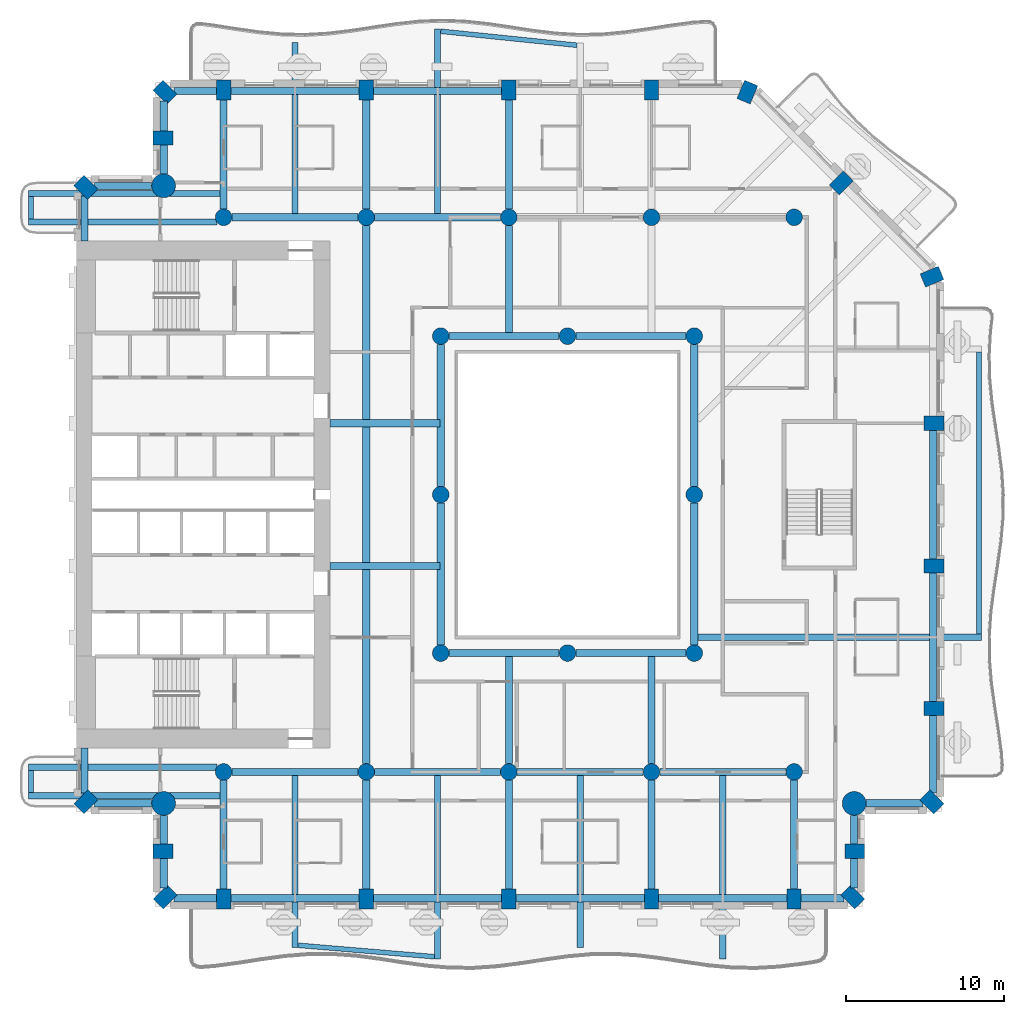
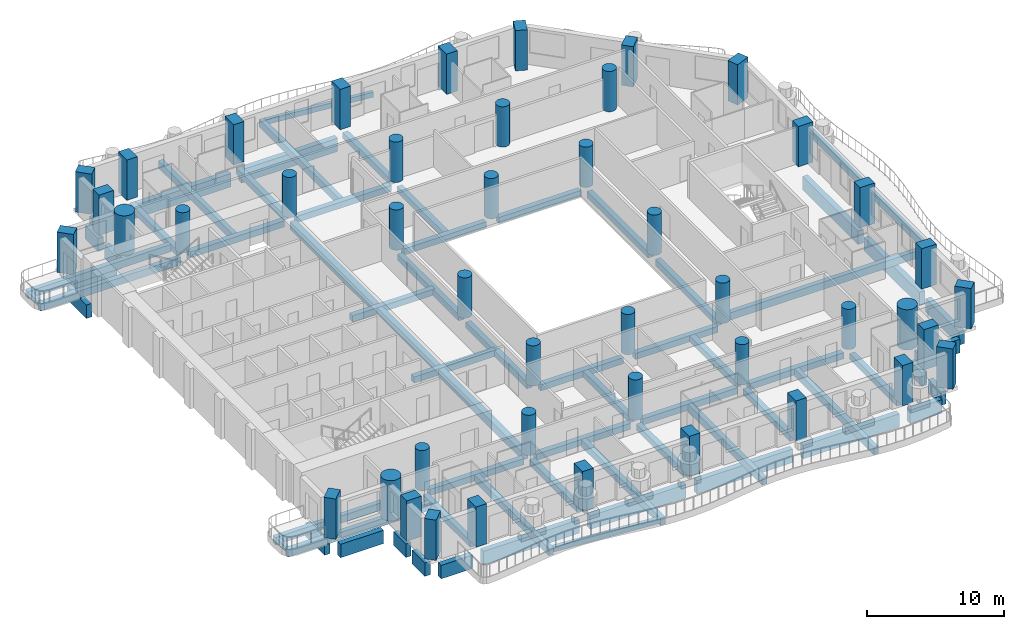
# One storey, part 1 of 20: 69 beams, 45 columns.
"""IFC4 building model written with IfcOpenShell, lengths in metres."""

from ifc_helpers import new_model, si_unit, direction, frame, origin, origin_2d, place, context, subcontext, project, spatial, rectangle, circle, extrude, material, material_profile, profile_set, type_object, element, save


model = new_model("IFC4")

# Units and contexts
model_context = context("Model", 3, precision=1e-05, world=origin(), true_north=direction((0.0, 1.0)))
body_context = subcontext(model_context, "Body", "Model", "MODEL_VIEW")
ifc_project = project(units=[si_unit("LENGTHUNIT", "METRE"), si_unit("AREAUNIT", "SQUARE_METRE"), si_unit("VOLUMEUNIT", "CUBIC_METRE"), si_unit("PLANEANGLEUNIT", "RADIAN"), si_unit("MASSUNIT", "GRAM", prefix="KILO")], contexts=[model_context])

# Site, building, storey
site_placement = place(None, origin())
site = spatial("IfcSite", under=ifc_project, at=site_placement, CompositionType="ELEMENT")
building_placement = place(site_placement, origin())
building = spatial("IfcBuilding", under=site, at=building_placement, Name="Cypress Arch Tower", CompositionType="ELEMENT")
storey_placement = place(building_placement, frame((0.0, 0.0, 120.300048828125)))
storey = spatial("IfcBuildingStorey", under=building, at=storey_placement, Name="L25", CompositionType="ELEMENT", Elevation=120.300048828125)

# Columns
ifc_material_1 = material(Name="Concrete C80/95", Category="concrete")
ifc_material_profile_1 = material_profile(ifc_material_1, rectangle(XDim=0.89990234375, YDim=1.25, at=origin_2d()), Name="RC 900x1250")
ifc_profile_set_1 = profile_set([ifc_material_profile_1], Name="Concrete C80/95")
column_type_1 = type_object("IfcColumnType", Name="Column RC 900x1250 Concrete C80/95", PredefinedType="COLUMN", material=ifc_profile_set_1)
for number, where, z_axis, x_axis, name in (
    (1, (-29.389892578125, 19.389892578125, 0.0), (0.0, 0.0, 1.0), (-0.707106781187, -0.707106781187, 0.0), "Column L25 CA00"),
    (2, (-29.389892578125, -19.389892578125, 0.0), (0.0, 0.0, 1.0), (0.707106781187, -0.707106781187, 0.0), "Column L25 CA01"),
    (3, (-24.52490234375, -22.5, 0.0), (0.0, 0.0, 1.0), (0.0, -1.0, 0.0), "Column L25 CA03"),
    (4, (-24.389892578125, -25.389892578125, 0.0), (0.0, 0.0, 1.0), (0.707106781187, -0.707106781187, 0.0), "Column L25 CA04"),
    (5, (-20.699951171875, -25.52490234375, 0.0), (0.0, 0.0, 1.0), (1.0, 0.0, 0.0), "Column L25 CA05"),
    (6, (-11.699951171875, -25.52490234375, 0.0), (0.0, 0.0, 1.0), (1.0, 0.0, 0.0), "Column L25 CA06"),
    (7, (-2.699951171875, -25.52490234375, 0.0), (0.0, 0.0, 1.0), (1.0, 0.0, 0.0), "Column L25 CA07"),
    (8, (6.300048828125, -25.52490234375, 0.0), (0.0, 0.0, 1.0), (1.0, 0.0, 0.0), "Column L25 CA08"),
    (9, (15.300048828125, -25.52490234375, 0.0), (0.0, 0.0, 1.0), (1.0, 0.0, 0.0), "Column L25 CA09"),
    (10, (18.98974609375, -25.389892578125, 0.0), (0.0, 0.0, 1.0), (0.707106781187, 0.707106781187, 0.0), "Column L25 CA10"),
    (11, (19.125, -22.5, 0.0), (0.0, 0.0, 1.0), (0.0, 1.0, 0.0), "Column L25 CA11"),
    (12, (23.98974609375, -19.389892578125, 0.0), (0.0, 0.0, 1.0), (0.707106781187, 0.707106781187, 0.0), "Column L25 CA13"),
    (13, (24.125, -13.5, 0.0), (0.0, 0.0, 1.0), (0.0, 1.0, 0.0), "Column L25 CA14"),
    (14, (24.125, -4.5, 0.0), (0.0, 0.0, 1.0), (0.0, 1.0, 0.0), "Column L25 CA15"),
    (15, (24.125, 4.5, 0.0), (0.0, 0.0, 1.0), (0.0, 1.0, 0.0), "Column L25 CA16"),
    (16, (24.00048828125, 13.751708984375, 0.0), (0.0, 0.0, 1.0), (-0.382683496864, 0.923879505795, 0.0), "Column L25 CA17"),
    (17, (18.26416015625, 19.6640625, 0.0), (0.0, 0.0, 1.0), (-0.707106781187, 0.707106781187, 0.0), "Column L25 CA18"),
    (18, (12.3515625, 25.400390625, 0.0), (0.0, 0.0, 1.0), (-0.923879505795, 0.382683496864, 0.0), "Column L25 CA19"),
    (19, (6.300048828125, 25.52490234375, 0.0), (0.0, 0.0, 1.0), (-1.0, 0.0, 0.0), "Column L25 CA20"),
    (20, (-2.699951171875, 25.52490234375, 0.0), (0.0, 0.0, 1.0), (-1.0, 0.0, 0.0), "Column L25 CA21"),
    (21, (-11.699951171875, 25.52490234375, 0.0), (0.0, 0.0, 1.0), (-1.0, 0.0, 0.0), "Column L25 CA22"),
    (22, (-20.699951171875, 25.52490234375, 0.0), (0.0, 0.0, 1.0), (-1.0, 0.0, 0.0), "Column L25 CA23"),
    (23, (-24.389892578125, 25.389892578125, 0.0), (0.0, 0.0, 1.0), (-0.707106781187, -0.707106781187, 0.0), "Column L25 CA24"),
    (24, (-24.52490234375, 22.5, 0.0), (0.0, 0.0, 1.0), (0.0, -1.0, 0.0), "Column L25 CA25"),
):
    element("IfcColumn", number, at=place(storey_placement, frame(where, z_axis=z_axis, x_axis=x_axis)), inside=storey, type_object=column_type_1, Name=name, PredefinedType="COLUMN", context=body_context, shape_type="SweptSolid", body=[
        extrude(rectangle(XDim=0.89990234375, YDim=1.25, at=origin_2d()), origin(), (0.0, 0.0, 1.0), 3.599853515625),
    ])
ifc_material_2 = material(Name="Concrete C70/85", Category="concrete")
ifc_material_profile_2 = material_profile(ifc_material_2, circle(Radius=0.52490234375, at=origin_2d()), Name="RC D1050")
ifc_profile_set_2 = profile_set([ifc_material_profile_2], Name="Concrete C70/85")
column_type_2 = type_object("IfcColumnType", Name="Column RC D1050 Concrete C70/85", PredefinedType="COLUMN", material=ifc_profile_set_2)
for number, where, z_axis, x_axis, name in (
    (25, (-20.699951171875, -17.5, 0.0), (0.0, 0.0, 1.0), (1.0, 0.0, 0.0), "Column L25 CIC-L25-CI3S"),
    (26, (-11.699951171875, -17.5, 0.0), (0.0, 0.0, 1.0), (1.0, 0.0, 0.0), "Column L25 CIC-L25-CI4S"),
    (27, (-2.699951171875, -17.5, 0.0), (0.0, 0.0, 1.0), (1.0, 0.0, 0.0), "Column L25 CIC-L25-CI5S"),
    (28, (6.300048828125, -17.5, 0.0), (0.0, 0.0, 1.0), (1.0, 0.0, 0.0), "Column L25 CIC-L25-CI6S"),
    (29, (15.300048828125, -17.5, 0.0), (0.0, 0.0, 1.0), (1.0, 0.0, 0.0), "Column L25 CIC-L25-CI7S"),
    (30, (-20.699951171875, 17.5, 0.0), (0.0, 0.0, 1.0), (1.0, 0.0, 0.0), "Column L25 CIC-L25-CI3N"),
    (31, (-11.699951171875, 17.5, 0.0), (0.0, 0.0, 1.0), (1.0, 0.0, 0.0), "Column L25 CIC-L25-CI4N"),
    (32, (-2.699951171875, 17.5, 0.0), (0.0, 0.0, 1.0), (1.0, 0.0, 0.0), "Column L25 CIC-L25-CI5N"),
    (33, (6.300048828125, 17.5, 0.0), (0.0, 0.0, 1.0), (1.0, 0.0, 0.0), "Column L25 CIC-L25-CI6N"),
    (34, (15.300048828125, 17.5, 0.0), (0.0, 0.0, 1.0), (1.0, 0.0, 0.0), "Column L25 CIC-L25-CI7N"),
    (35, (-7.0, -10.0, 0.0), (0.0, 0.0, 1.0), (1.0, 0.0, 0.0), "Column L25 RNG-L25-G-7-10"),
    (36, (-7.0, 0.0, 0.0), (0.0, 0.0, 1.0), (1.0, 0.0, 0.0), "Column L25 RNG-L25-G-7+0"),
    (37, (-7.0, 10.0, 0.0), (0.0, 0.0, 1.0), (1.0, 0.0, 0.0), "Column L25 RNG-L25-G-7+10"),
    (38, (1.0, -10.0, 0.0), (0.0, 0.0, 1.0), (1.0, 0.0, 0.0), "Column L25 RNG-L25-G+1-10"),
    (39, (1.0, 10.0, 0.0), (0.0, 0.0, 1.0), (1.0, 0.0, 0.0), "Column L25 RNG-L25-G+1+10"),
    (40, (9.0, -10.0, 0.0), (0.0, 0.0, 1.0), (1.0, 0.0, 0.0), "Column L25 RNG-L25-G+9-10"),
    (41, (9.0, 0.0, 0.0), (0.0, 0.0, 1.0), (1.0, 0.0, 0.0), "Column L25 RNG-L25-G+9+0"),
    (42, (9.0, 10.0, 0.0), (0.0, 0.0, 1.0), (1.0, 0.0, 0.0), "Column L25 RNG-L25-G+9+10"),
):
    element("IfcColumn", number, at=place(storey_placement, frame(where, z_axis=z_axis, x_axis=x_axis)), inside=storey, type_object=column_type_2, Name=name, PredefinedType="COLUMN", context=body_context, shape_type="SweptSolid", body=[
        extrude(circle(Radius=0.52490234375, at=origin_2d()), origin(), (0.0, 0.0, 1.0), 3.599853515625),
    ])
ifc_material_3 = material(Name="Concrete C80/95", Category="concrete")
ifc_material_profile_3 = material_profile(ifc_material_3, circle(Radius=0.75, at=origin_2d()), Name="RC D1500")
ifc_profile_set_3 = profile_set([ifc_material_profile_3], Name="Concrete C80/95")
column_type_3 = type_object("IfcColumnType", Name="Mega-column RC D1500 Concrete C80/95", PredefinedType="COLUMN", material=ifc_profile_set_3)
for number, where, z_axis, x_axis, name in (
    (43, (-24.48779296875, -19.48779296875, 0.0), (0.0, 0.0, 1.0), (1.0, 0.0, 0.0), "Column L25 CA02"),
    (44, (19.087890625, -19.48779296875, 0.0), (0.0, 0.0, 1.0), (1.0, 0.0, 0.0), "Column L25 CA12"),
    (45, (-24.48779296875, 19.48779296875, 0.0), (0.0, 0.0, 1.0), (1.0, 0.0, 0.0), "Column L25 CA26"),
):
    element("IfcColumn", number, at=place(storey_placement, frame(where, z_axis=z_axis, x_axis=x_axis)), inside=storey, type_object=column_type_3, Name=name, PredefinedType="COLUMN", context=body_context, shape_type="SweptSolid", body=[
        extrude(circle(Radius=0.75, at=origin_2d()), origin(), (0.0, 0.0, 1.0), 3.599853515625),
    ])

# Beams
ifc_material_4 = material(Name="Concrete C50/60", Category="concrete")
ifc_material_profile_4 = material_profile(ifc_material_4, rectangle(XDim=0.300048828125, YDim=0.449951171875, at=origin_2d()), Name="RC 300x450")
ifc_profile_set_4 = profile_set([ifc_material_profile_4], Name="Concrete C50/60")
beam_type_1 = type_object("IfcBeamType", Name="Balcony edge beam RC 300x450 Concrete C50/60", PredefinedType="BEAM", material=ifc_profile_set_4)
beam_1_placement = place(storey_placement, frame((-16.0, -28.439208984375, -0.525146484375), z_axis=(0.996499955458, -0.083593293828, 0.0), x_axis=(0.083593293828, 0.996499955458, 0.0)))
element("IfcBeam", 46, at=beam_1_placement, inside=storey, type_object=beam_type_1, Name="Balcony edge beam L25 A03", PredefinedType="BEAM", context=body_context, shape_type="SweptSolid", body=[
    extrude(rectangle(XDim=0.300048828125, YDim=0.449951171875, at=origin_2d()), origin(), (0.0, 0.0, 1.0), 8.63037109375),
])
beam_2_placement = place(storey_placement, frame((1.60009765625, 28.35546875, -0.525146484375), z_axis=(-0.994766876942, 0.102170742088, 0.0), x_axis=(-0.102170742088, -0.994766876942, 0.0)))
element("IfcBeam", 47, at=beam_2_placement, inside=storey, type_object=beam_type_1, Name="Balcony edge beam L25 A08", PredefinedType="BEAM", context=body_context, shape_type="SweptSolid", body=[
    extrude(rectangle(XDim=0.300048828125, YDim=0.449951171875, at=origin_2d()), origin(), (0.0, 0.0, 1.0), 8.645263671875),
])
ifc_material_5 = material(Name="Concrete C50/60", Category="concrete")
ifc_material_profile_5 = material_profile(ifc_material_5, rectangle(XDim=0.300048828125, YDim=0.64990234375, at=origin_2d()), Name="RC 300x650")
ifc_profile_set_5 = profile_set([ifc_material_profile_5], Name="Concrete C50/60")
beam_type_2 = type_object("IfcBeamType", Name="Balcony edge beam RC 300x650 Concrete C50/60", PredefinedType="BEAM", material=ifc_profile_set_5)
beam_3_placement = place(storey_placement, frame((26.960693359375, -8.800048828125, -0.625), z_axis=(0.000741157375, 0.999999725343, 0.0), x_axis=(-0.999999725343, 0.000741157375, 0.0)))
element("IfcBeam", 48, at=beam_3_placement, inside=storey, type_object=beam_type_2, Name="Balcony edge beam L25 A06", PredefinedType="BEAM", context=body_context, shape_type="SweptSolid", body=[
    extrude(rectangle(XDim=0.300048828125, YDim=0.64990234375, at=origin_2d()), origin(), (0.0, 0.0, 1.0), 17.787841796875),
])
ifc_material_6 = material(Name="Concrete C50/60", Category="concrete")
ifc_material_profile_6 = material_profile(ifc_material_6, rectangle(XDim=0.300048828125, YDim=0.39990234375, at=origin_2d()), Name="RC 300x400")
ifc_profile_set_6 = profile_set([ifc_material_profile_6], Name="Concrete C50/60")
beam_type_3 = type_object("IfcBeamType", Name="Balcony stub beam RC 300x400 Concrete C50/60", PredefinedType="BEAM", material=ifc_profile_set_6)
for number, where, z_axis, x_axis, name in (
    (49, (-32.85009765625, 18.800048828125, -0.5), (0.0, -1.0, 0.0), (1.0, 0.0, 0.0), "Balcony stub beam L25 A00W0"),
    (50, (-32.85009765625, -17.39990234375, -0.5), (0.0, -1.0, 0.0), (1.0, 0.0, 0.0), "Balcony stub beam L25 A00W1"),
):
    element("IfcBeam", number, at=place(storey_placement, frame(where, z_axis=z_axis, x_axis=x_axis)), inside=storey, type_object=beam_type_3, Name=name, PredefinedType="BEAM", context=body_context, shape_type="SweptSolid", body=[
        extrude(rectangle(XDim=0.300048828125, YDim=0.39990234375, at=origin_2d()), origin(), (0.0, 0.0, 1.0), 1.400146484375),
    ])
ifc_material_7 = material(Name="Concrete C50/60", Category="concrete")
ifc_material_profile_7 = material_profile(ifc_material_7, rectangle(XDim=0.39990234375, YDim=0.64990234375, at=origin_2d()), Name="RC 400x650")
ifc_profile_set_7 = profile_set([ifc_material_profile_7], Name="Concrete C50/60")
beam_type_4 = type_object("IfcBeamType", Name="Cantilever beam RC 400x650 Concrete C50/60", PredefinedType="BEAM", material=ifc_profile_set_7)
beam_4_placement = place(storey_placement, frame((-20.925048828125, 19.0, -0.625), z_axis=(-1.0, 0.0, 0.0), x_axis=(0.0, -1.0, 0.0)))
element("IfcBeam", 51, at=beam_4_placement, inside=storey, type_object=beam_type_4, Name="Cantilever beam L25 A00 1", PredefinedType="BEAM", context=body_context, shape_type="SweptSolid", body=[
    extrude(rectangle(XDim=0.39990234375, YDim=0.64990234375, at=origin_2d()), origin(), (0.0, 0.0, 1.0), 12.074951171875),
])
for number, where, z_axis, x_axis, name in (
    (52, (-21.130615234375, 17.199951171875, -0.625), (-1.0, 0.0, 0.0), (0.0, -1.0, 0.0), "Cantilever beam L25 A00 2"),
    (53, (-21.130615234375, -17.199951171875, -0.625), (-1.0, 0.0, 0.0), (0.0, -1.0, 0.0), "Cantilever beam L25 A00 1"),
):
    element("IfcBeam", number, at=place(storey_placement, frame(where, z_axis=z_axis, x_axis=x_axis)), inside=storey, type_object=beam_type_4, Name=name, PredefinedType="BEAM", context=body_context, shape_type="SweptSolid", body=[
        extrude(rectangle(XDim=0.39990234375, YDim=0.64990234375, at=origin_2d()), origin(), (0.0, 0.0, 1.0), 11.869384765625),
    ])
beam_5_placement = place(storey_placement, frame((-20.925048828125, -19.0, -0.625), z_axis=(-1.0, 0.0, 0.0), x_axis=(0.0, -1.0, 0.0)))
element("IfcBeam", 54, at=beam_5_placement, inside=storey, type_object=beam_type_4, Name="Cantilever beam L25 A00 2", PredefinedType="BEAM", context=body_context, shape_type="SweptSolid", body=[
    extrude(rectangle(XDim=0.39990234375, YDim=0.64990234375, at=origin_2d()), origin(), (0.0, 0.0, 1.0), 12.074951171875),
])
beam_6_placement = place(storey_placement, frame((-16.199951171875, -17.72509765625, -0.625), z_axis=(0.0, -1.0, 0.0), x_axis=(1.0, 0.0, 0.0)))
element("IfcBeam", 55, at=beam_6_placement, inside=storey, type_object=beam_type_4, Name="Cantilever beam L25 A03 1", PredefinedType="BEAM", context=body_context, shape_type="SweptSolid", body=[
    extrude(rectangle(XDim=0.39990234375, YDim=0.64990234375, at=origin_2d()), origin(), (0.0, 0.0, 1.0), 10.8642578125),
])
beam_7_placement = place(storey_placement, frame((-7.199951171875, -17.72509765625, -0.625), z_axis=(0.0, -1.0, 0.0), x_axis=(1.0, 0.0, 0.0)))
element("IfcBeam", 56, at=beam_7_placement, inside=storey, type_object=beam_type_4, Name="Cantilever beam L25 A03 2", PredefinedType="BEAM", context=body_context, shape_type="SweptSolid", body=[
    extrude(rectangle(XDim=0.39990234375, YDim=0.64990234375, at=origin_2d()), origin(), (0.0, 0.0, 1.0), 11.58544921875),
])
beam_8_placement = place(storey_placement, frame((1.800048828125, -17.72509765625, -0.625), z_axis=(0.0, -1.0, 0.0), x_axis=(1.0, 0.0, 0.0)))
element("IfcBeam", 57, at=beam_8_placement, inside=storey, type_object=beam_type_4, Name="Cantilever beam L25 A03 3", PredefinedType="BEAM", context=body_context, shape_type="SweptSolid", body=[
    extrude(rectangle(XDim=0.39990234375, YDim=0.64990234375, at=origin_2d()), origin(), (0.0, 0.0, 1.0), 10.8642578125),
])
beam_9_placement = place(storey_placement, frame((10.800048828125, -17.72509765625, -0.625), z_axis=(0.0, -1.0, 0.0), x_axis=(1.0, 0.0, 0.0)))
element("IfcBeam", 58, at=beam_9_placement, inside=storey, type_object=beam_type_4, Name="Cantilever beam L25 A03 4", PredefinedType="BEAM", context=body_context, shape_type="SweptSolid", body=[
    extrude(rectangle(XDim=0.39990234375, YDim=0.64990234375, at=origin_2d()), origin(), (0.0, 0.0, 1.0), 11.586181640625),
])
beam_10_placement = place(storey_placement, frame((9.22509765625, -9.0, -0.625), z_axis=(1.0, 0.0, 0.0), x_axis=(0.0, 1.0, 0.0)))
element("IfcBeam", 59, at=beam_10_placement, inside=storey, type_object=beam_type_4, Name="Cantilever beam L25 A06 1", PredefinedType="BEAM", context=body_context, shape_type="SweptSolid", body=[
    extrude(rectangle(XDim=0.39990234375, YDim=0.64990234375, at=origin_2d()), origin(), (0.0, 0.0, 1.0), 17.885498046875),
])
beam_11_placement = place(storey_placement, frame((-7.199951171875, 17.72509765625, -0.625), z_axis=(0.0, 1.0, 0.0), x_axis=(-1.0, 0.0, 0.0)))
element("IfcBeam", 60, at=beam_11_placement, inside=storey, type_object=beam_type_4, Name="Cantilever beam L25 A08 2", PredefinedType="BEAM", context=body_context, shape_type="SweptSolid", body=[
    extrude(rectangle(XDim=0.39990234375, YDim=0.64990234375, at=origin_2d()), origin(), (0.0, 0.0, 1.0), 11.663818359375),
])
beam_12_placement = place(storey_placement, frame((-16.199951171875, 17.72509765625, -0.625), z_axis=(0.0, 1.0, 0.0), x_axis=(-1.0, 0.0, 0.0)))
element("IfcBeam", 61, at=beam_12_placement, inside=storey, type_object=beam_type_4, Name="Cantilever beam L25 A08 3", PredefinedType="BEAM", context=body_context, shape_type="SweptSolid", body=[
    extrude(rectangle(XDim=0.39990234375, YDim=0.64990234375, at=origin_2d()), origin(), (0.0, 0.0, 1.0), 10.791259765625),
])
ifc_material_8 = material(Name="Concrete C50/60", Category="concrete")
ifc_material_profile_8 = material_profile(ifc_material_8, rectangle(XDim=0.449951171875, YDim=0.550048828125, at=origin_2d()), Name="RC 450x550")
ifc_profile_set_8 = profile_set([ifc_material_profile_8], Name="Concrete C50/60")
beam_type_5 = type_object("IfcBeamType", Name="Floor beam RC 450x550 Concrete C50/60", PredefinedType="BEAM", material=ifc_profile_set_8)
for number, where, z_axis, x_axis, name in (
    (62, (-7.0, -9.47509765625, -0.574951171875), (0.0, 1.0, 0.0), (-1.0, 0.0, 0.0), "Floor beam L25 RB001"),
    (63, (-7.0, 0.52490234375, -0.574951171875), (0.0, 1.0, 0.0), (-1.0, 0.0, 0.0), "Floor beam L25 RB002"),
    (64, (9.0, -9.47509765625, -0.574951171875), (0.0, 1.0, 0.0), (-1.0, 0.0, 0.0), "Floor beam L25 RB003"),
    (65, (9.0, 0.52490234375, -0.574951171875), (0.0, 1.0, 0.0), (-1.0, 0.0, 0.0), "Floor beam L25 RB004"),
):
    element("IfcBeam", number, at=place(storey_placement, frame(where, z_axis=z_axis, x_axis=x_axis)), inside=storey, type_object=beam_type_5, Name=name, PredefinedType="BEAM", context=body_context, shape_type="SweptSolid", body=[
        extrude(rectangle(XDim=0.449951171875, YDim=0.550048828125, at=origin_2d()), origin(), (0.0, 0.0, 1.0), 8.9501953125),
    ])
for number, where, z_axis, x_axis, name in (
    (66, (-6.47509765625, -10.0, -0.574951171875), (1.0, 0.0, 0.0), (0.0, 1.0, 0.0), "Floor beam L25 RB005"),
    (67, (1.52490234375, -10.0, -0.574951171875), (1.0, 0.0, 0.0), (0.0, 1.0, 0.0), "Floor beam L25 RB006"),
    (68, (-6.47509765625, 10.0, -0.574951171875), (1.0, 0.0, 0.0), (0.0, 1.0, 0.0), "Floor beam L25 RB007"),
    (69, (1.52490234375, 10.0, -0.574951171875), (1.0, 0.0, 0.0), (0.0, 1.0, 0.0), "Floor beam L25 RB008"),
):
    element("IfcBeam", number, at=place(storey_placement, frame(where, z_axis=z_axis, x_axis=x_axis)), inside=storey, type_object=beam_type_5, Name=name, PredefinedType="BEAM", context=body_context, shape_type="SweptSolid", body=[
        extrude(rectangle(XDim=0.449951171875, YDim=0.550048828125, at=origin_2d()), origin(), (0.0, 0.0, 1.0), 6.9501953125),
    ])
for number, where, z_axis, x_axis, name in (
    (70, (-20.175048828125, -17.5, -0.574951171875), (1.0, 0.0, 0.0), (0.0, 1.0, 0.0), "Floor beam L25 FB009"),
    (71, (-11.175048828125, -17.5, -0.574951171875), (1.0, 0.0, 0.0), (0.0, 1.0, 0.0), "Floor beam L25 FB010"),
    (72, (-2.175048828125, -17.5, -0.574951171875), (1.0, 0.0, 0.0), (0.0, 1.0, 0.0), "Floor beam L25 FB011"),
    (73, (6.824951171875, -17.5, -0.574951171875), (1.0, 0.0, 0.0), (0.0, 1.0, 0.0), "Floor beam L25 FB012"),
):
    element("IfcBeam", number, at=place(storey_placement, frame(where, z_axis=z_axis, x_axis=x_axis)), inside=storey, type_object=beam_type_5, Name=name, PredefinedType="BEAM", context=body_context, shape_type="SweptSolid", body=[
        extrude(rectangle(XDim=0.449951171875, YDim=0.550048828125, at=origin_2d()), origin(), (0.0, 0.0, 1.0), 7.949951171875),
    ])
for number, where, z_axis, x_axis, name in (
    (74, (-14.0, -4.5, -0.574951171875), (1.0, 0.0, 0.0), (0.0, 1.0, 0.0), "Floor beam L25 FB013"),
    (75, (-14.0, 4.5, -0.574951171875), (1.0, 0.0, 0.0), (0.0, 1.0, 0.0), "Floor beam L25 FB014"),
):
    element("IfcBeam", number, at=place(storey_placement, frame(where, z_axis=z_axis, x_axis=x_axis)), inside=storey, type_object=beam_type_5, Name=name, PredefinedType="BEAM", context=body_context, shape_type="SweptSolid", body=[
        extrude(rectangle(XDim=0.449951171875, YDim=0.550048828125, at=origin_2d()), origin(), (0.0, 0.0, 1.0), 6.949951171875),
    ])
for number, where, z_axis, x_axis, name in (
    (76, (-20.175048828125, 17.5, -0.574951171875), (1.0, 0.0, 0.0), (0.0, 1.0, 0.0), "Floor beam L25 FB015"),
    (77, (-11.175048828125, 17.5, -0.574951171875), (1.0, 0.0, 0.0), (0.0, 1.0, 0.0), "Floor beam L25 FB016"),
):
    element("IfcBeam", number, at=place(storey_placement, frame(where, z_axis=z_axis, x_axis=x_axis)), inside=storey, type_object=beam_type_5, Name=name, PredefinedType="BEAM", context=body_context, shape_type="SweptSolid", body=[
        extrude(rectangle(XDim=0.449951171875, YDim=0.550048828125, at=origin_2d()), origin(), (0.0, 0.0, 1.0), 7.949951171875),
    ])
for number, where, z_axis, x_axis, name in (
    (78, (-20.699951171875, -24.89990234375, -0.574951171875), (0.0, 1.0, 0.0), (-1.0, 0.0, 0.0), "Floor beam L25 FB019"),
    (79, (-20.699951171875, 18.02490234375, -0.574951171875), (0.0, 1.0, 0.0), (-1.0, 0.0, 0.0), "Floor beam L25 FB020"),
    (80, (-11.699951171875, -24.89990234375, -0.574951171875), (0.0, 1.0, 0.0), (-1.0, 0.0, 0.0), "Floor beam L25 FB021"),
):
    element("IfcBeam", number, at=place(storey_placement, frame(where, z_axis=z_axis, x_axis=x_axis)), inside=storey, type_object=beam_type_5, Name=name, PredefinedType="BEAM", context=body_context, shape_type="SweptSolid", body=[
        extrude(rectangle(XDim=0.449951171875, YDim=0.550048828125, at=origin_2d()), origin(), (0.0, 0.0, 1.0), 6.875),
    ])
beam_13_placement = place(storey_placement, frame((-11.699951171875, -4.27490234375, -0.574951171875), z_axis=(0.0, 1.0, 0.0), x_axis=(-1.0, 0.0, 0.0)))
element("IfcBeam", 81, at=beam_13_placement, inside=storey, type_object=beam_type_5, Name="Floor beam L25 FB023", PredefinedType="BEAM", context=body_context, shape_type="SweptSolid", body=[
    extrude(rectangle(XDim=0.449951171875, YDim=0.550048828125, at=origin_2d()), origin(), (0.0, 0.0, 1.0), 8.5498046875),
])
for number, where, z_axis, x_axis, name in (
    (82, (-11.699951171875, 18.02490234375, -0.574951171875), (0.0, 1.0, 0.0), (-1.0, 0.0, 0.0), "Floor beam L25 FB025"),
    (83, (-2.699951171875, -24.89990234375, -0.574951171875), (0.0, 1.0, 0.0), (-1.0, 0.0, 0.0), "Floor beam L25 FB026"),
):
    element("IfcBeam", number, at=place(storey_placement, frame(where, z_axis=z_axis, x_axis=x_axis)), inside=storey, type_object=beam_type_5, Name=name, PredefinedType="BEAM", context=body_context, shape_type="SweptSolid", body=[
        extrude(rectangle(XDim=0.449951171875, YDim=0.550048828125, at=origin_2d()), origin(), (0.0, 0.0, 1.0), 6.875),
    ])
for number, where, z_axis, x_axis, name in (
    (84, (-2.699951171875, -16.97509765625, -0.574951171875), (0.0, 1.0, 0.0), (-1.0, 0.0, 0.0), "Floor beam L25 FB027"),
    (85, (-2.699951171875, 10.22509765625, -0.574951171875), (0.0, 1.0, 0.0), (-1.0, 0.0, 0.0), "Floor beam L25 FB028"),
):
    element("IfcBeam", number, at=place(storey_placement, frame(where, z_axis=z_axis, x_axis=x_axis)), inside=storey, type_object=beam_type_5, Name=name, PredefinedType="BEAM", context=body_context, shape_type="SweptSolid", body=[
        extrude(rectangle(XDim=0.449951171875, YDim=0.550048828125, at=origin_2d()), origin(), (0.0, 0.0, 1.0), 6.75),
    ])
for number, where, z_axis, x_axis, name in (
    (86, (-2.699951171875, 18.02490234375, -0.574951171875), (0.0, 1.0, 0.0), (-1.0, 0.0, 0.0), "Floor beam L25 FB029"),
    (87, (6.300048828125, -24.89990234375, -0.574951171875), (0.0, 1.0, 0.0), (-1.0, 0.0, 0.0), "Floor beam L25 FB030"),
):
    element("IfcBeam", number, at=place(storey_placement, frame(where, z_axis=z_axis, x_axis=x_axis)), inside=storey, type_object=beam_type_5, Name=name, PredefinedType="BEAM", context=body_context, shape_type="SweptSolid", body=[
        extrude(rectangle(XDim=0.449951171875, YDim=0.550048828125, at=origin_2d()), origin(), (0.0, 0.0, 1.0), 6.875),
    ])
beam_14_placement = place(storey_placement, frame((6.300048828125, -16.97509765625, -0.574951171875), z_axis=(0.0, 1.0, 0.0), x_axis=(-1.0, 0.0, 0.0)))
element("IfcBeam", 88, at=beam_14_placement, inside=storey, type_object=beam_type_5, Name="Floor beam L25 FB031", PredefinedType="BEAM", context=body_context, shape_type="SweptSolid", body=[
    extrude(rectangle(XDim=0.449951171875, YDim=0.550048828125, at=origin_2d()), origin(), (0.0, 0.0, 1.0), 6.75),
])
beam_15_placement = place(storey_placement, frame((15.300048828125, -24.89990234375, -0.574951171875), z_axis=(0.0, 1.0, 0.0), x_axis=(-1.0, 0.0, 0.0)))
element("IfcBeam", 89, at=beam_15_placement, inside=storey, type_object=beam_type_5, Name="Floor beam L25 FB034", PredefinedType="BEAM", context=body_context, shape_type="SweptSolid", body=[
    extrude(rectangle(XDim=0.449951171875, YDim=0.550048828125, at=origin_2d()), origin(), (0.0, 0.0, 1.0), 6.875),
])
ifc_material_9 = material(Name="Concrete C50/60", Category="concrete")
ifc_material_profile_9 = material_profile(ifc_material_9, rectangle(XDim=0.5, YDim=0.699951171875, at=origin_2d()), Name="RC 500x700")
ifc_profile_set_9 = profile_set([ifc_material_profile_9], Name="Concrete C50/60")
beam_type_6 = type_object("IfcBeamType", Name="Floor beam RC 500x700 Concrete C50/60", PredefinedType="BEAM", material=ifc_profile_set_9)
for number, where, z_axis, x_axis, name in (
    (90, (-11.699951171875, -16.97509765625, -0.650146484375), (0.0, 1.0, 0.0), (-1.0, 0.0, 0.0), "Floor beam L25 FB022"),
    (91, (-11.699951171875, 4.72509765625, -0.650146484375), (0.0, 1.0, 0.0), (-1.0, 0.0, 0.0), "Floor beam L25 FB024"),
):
    element("IfcBeam", number, at=place(storey_placement, frame(where, z_axis=z_axis, x_axis=x_axis)), inside=storey, type_object=beam_type_6, Name=name, PredefinedType="BEAM", context=body_context, shape_type="SweptSolid", body=[
        extrude(rectangle(XDim=0.5, YDim=0.699951171875, at=origin_2d()), origin(), (0.0, 0.0, 1.0), 12.25),
    ])
ifc_material_10 = material(Name="Concrete C50/60", Category="concrete")
ifc_material_profile_10 = material_profile(ifc_material_10, rectangle(XDim=0.449951171875, YDim=1.199951171875, at=origin_2d()), Name="RC 450x1200")
ifc_profile_set_10 = profile_set([ifc_material_profile_10], Name="Concrete C50/60")
beam_type_7 = type_object("IfcBeamType", Name="Spandrel beam RC 450x1200 Concrete C50/60", PredefinedType="SPANDREL", material=ifc_profile_set_10)
for number, where, z_axis, x_axis, name in (
    (92, (-29.47509765625, 18.838623046875, -1.550048828125), (0.0, -1.0, 0.0), (1.0, 0.0, 0.0), "Spandrel beam L25 BA00-0"),
    (93, (-29.47509765625, -16.0, -1.550048828125), (0.0, -1.0, 0.0), (1.0, 0.0, 0.0), "Spandrel beam L25 BA00-0"),
):
    element("IfcBeam", number, at=place(storey_placement, frame(where, z_axis=z_axis, x_axis=x_axis)), inside=storey, type_object=beam_type_7, Name=name, PredefinedType="SPANDREL", context=body_context, shape_type="SweptSolid", body=[
        extrude(rectangle(XDim=0.449951171875, YDim=1.199951171875, at=origin_2d()), origin(), (0.0, 0.0, 1.0), 2.838623046875),
    ])
beam_16_placement = place(storey_placement, frame((-28.838623046875, -19.47509765625, -1.550048828125), z_axis=(1.0, 0.0, 0.0), x_axis=(0.0, 1.0, 0.0)))
element("IfcBeam", 94, at=beam_16_placement, inside=storey, type_object=beam_type_7, Name="Spandrel beam L25 BA01-0", PredefinedType="SPANDREL", context=body_context, shape_type="SweptSolid", body=[
    extrude(rectangle(XDim=0.449951171875, YDim=1.199951171875, at=origin_2d()), origin(), (0.0, 0.0, 1.0), 3.60107421875),
])
beam_17_placement = place(storey_placement, frame((-24.47509765625, -20.237548828125, -1.550048828125), z_axis=(0.0, -1.0, 0.0), x_axis=(1.0, 0.0, 0.0)))
element("IfcBeam", 95, at=beam_17_placement, inside=storey, type_object=beam_type_7, Name="Spandrel beam L25 BA02-0", PredefinedType="SPANDREL", context=body_context, shape_type="SweptSolid", body=[
    extrude(rectangle(XDim=0.449951171875, YDim=1.199951171875, at=origin_2d()), origin(), (0.0, 0.0, 1.0), 1.8125),
])
beam_18_placement = place(storey_placement, frame((-24.47509765625, -22.949951171875, -1.550048828125), z_axis=(0.0, -1.0, 0.0), x_axis=(1.0, 0.0, 0.0)))
element("IfcBeam", 96, at=beam_18_placement, inside=storey, type_object=beam_type_7, Name="Spandrel beam L25 BA02-1", PredefinedType="SPANDREL", context=body_context, shape_type="SweptSolid", body=[
    extrude(rectangle(XDim=0.449951171875, YDim=1.199951171875, at=origin_2d()), origin(), (0.0, 0.0, 1.0), 1.888671875),
])
beam_19_placement = place(storey_placement, frame((-23.838623046875, -25.47509765625, -1.550048828125), z_axis=(1.0, 0.0, 0.0), x_axis=(0.0, 1.0, 0.0)))
element("IfcBeam", 97, at=beam_19_placement, inside=storey, type_object=beam_type_7, Name="Spandrel beam L25 BA03-0", PredefinedType="SPANDREL", context=body_context, shape_type="SweptSolid", body=[
    extrude(rectangle(XDim=0.449951171875, YDim=1.199951171875, at=origin_2d()), origin(), (0.0, 0.0, 1.0), 2.688720703125),
])
for number, where, z_axis, x_axis, name in (
    (98, (-20.25, -25.47509765625, -1.550048828125), (1.0, 0.0, 0.0), (0.0, 1.0, 0.0), "Spandrel beam L25 BA03-1"),
    (99, (-11.25, -25.47509765625, -1.550048828125), (1.0, 0.0, 0.0), (0.0, 1.0, 0.0), "Spandrel beam L25 BA03-2"),
    (100, (-2.25, -25.47509765625, -1.550048828125), (1.0, 0.0, 0.0), (0.0, 1.0, 0.0), "Spandrel beam L25 BA03-3"),
    (101, (6.75, -25.47509765625, -1.550048828125), (1.0, 0.0, 0.0), (0.0, 1.0, 0.0), "Spandrel beam L25 BA03-4"),
):
    element("IfcBeam", number, at=place(storey_placement, frame(where, z_axis=z_axis, x_axis=x_axis)), inside=storey, type_object=beam_type_7, Name=name, PredefinedType="SPANDREL", context=body_context, shape_type="SweptSolid", body=[
        extrude(rectangle(XDim=0.449951171875, YDim=1.199951171875, at=origin_2d()), origin(), (0.0, 0.0, 1.0), 8.10009765625),
    ])
beam_20_placement = place(storey_placement, frame((15.75, -25.47509765625, -1.550048828125), z_axis=(1.0, 0.0, 0.0), x_axis=(0.0, 1.0, 0.0)))
element("IfcBeam", 102, at=beam_20_placement, inside=storey, type_object=beam_type_7, Name="Spandrel beam L25 BA03-5", PredefinedType="SPANDREL", context=body_context, shape_type="SweptSolid", body=[
    extrude(rectangle(XDim=0.449951171875, YDim=1.199951171875, at=origin_2d()), origin(), (0.0, 0.0, 1.0), 2.688720703125),
])
beam_21_placement = place(storey_placement, frame((19.074951171875, -24.838623046875, -1.550048828125), z_axis=(0.0, 1.0, 0.0), x_axis=(-1.0, 0.0, 0.0)))
element("IfcBeam", 103, at=beam_21_placement, inside=storey, type_object=beam_type_7, Name="Spandrel beam L25 BA04-0", PredefinedType="SPANDREL", context=body_context, shape_type="SweptSolid", body=[
    extrude(rectangle(XDim=0.449951171875, YDim=1.199951171875, at=origin_2d()), origin(), (0.0, 0.0, 1.0), 1.888671875),
])
beam_22_placement = place(storey_placement, frame((19.074951171875, -22.050048828125, -1.550048828125), z_axis=(0.0, 1.0, 0.0), x_axis=(-1.0, 0.0, 0.0)))
element("IfcBeam", 104, at=beam_22_placement, inside=storey, type_object=beam_type_7, Name="Spandrel beam L25 BA04-1", PredefinedType="SPANDREL", context=body_context, shape_type="SweptSolid", body=[
    extrude(rectangle(XDim=0.449951171875, YDim=1.199951171875, at=origin_2d()), origin(), (0.0, 0.0, 1.0), 1.8125),
])
beam_23_placement = place(storey_placement, frame((19.837646484375, -19.47509765625, -1.550048828125), z_axis=(1.0, 0.0, 0.0), x_axis=(0.0, 1.0, 0.0)))
element("IfcBeam", 105, at=beam_23_placement, inside=storey, type_object=beam_type_7, Name="Spandrel beam L25 BA05-0", PredefinedType="SPANDREL", context=body_context, shape_type="SweptSolid", body=[
    extrude(rectangle(XDim=0.449951171875, YDim=1.199951171875, at=origin_2d()), origin(), (0.0, 0.0, 1.0), 3.60107421875),
])
beam_24_placement = place(storey_placement, frame((24.074951171875, -18.838623046875, -1.550048828125), z_axis=(0.0, 1.0, 0.0), x_axis=(-1.0, 0.0, 0.0)))
element("IfcBeam", 106, at=beam_24_placement, inside=storey, type_object=beam_type_7, Name="Spandrel beam L25 BA06-0", PredefinedType="SPANDREL", context=body_context, shape_type="SweptSolid", body=[
    extrude(rectangle(XDim=0.449951171875, YDim=1.199951171875, at=origin_2d()), origin(), (0.0, 0.0, 1.0), 4.888671875),
])
for number, where, z_axis, x_axis, name in (
    (107, (24.074951171875, -13.050048828125, -1.550048828125), (0.0, 1.0, 0.0), (-1.0, 0.0, 0.0), "Spandrel beam L25 BA06-1"),
    (108, (24.074951171875, -4.050048828125, -1.550048828125), (0.0, 1.0, 0.0), (-1.0, 0.0, 0.0), "Spandrel beam L25 BA06-2"),
    (109, (-3.14990234375, 25.47509765625, -1.550048828125), (-1.0, 0.0, 0.0), (0.0, -1.0, 0.0), "Spandrel beam L25 BA08-2"),
    (110, (-12.14990234375, 25.47509765625, -1.550048828125), (-1.0, 0.0, 0.0), (0.0, -1.0, 0.0), "Spandrel beam L25 BA08-3"),
):
    element("IfcBeam", number, at=place(storey_placement, frame(where, z_axis=z_axis, x_axis=x_axis)), inside=storey, type_object=beam_type_7, Name=name, PredefinedType="SPANDREL", context=body_context, shape_type="SweptSolid", body=[
        extrude(rectangle(XDim=0.449951171875, YDim=1.199951171875, at=origin_2d()), origin(), (0.0, 0.0, 1.0), 8.10009765625),
    ])
beam_25_placement = place(storey_placement, frame((-21.14990234375, 25.47509765625, -1.550048828125), z_axis=(-1.0, 0.0, 0.0), x_axis=(0.0, -1.0, 0.0)))
element("IfcBeam", 111, at=beam_25_placement, inside=storey, type_object=beam_type_7, Name="Spandrel beam L25 BA08-4", PredefinedType="SPANDREL", context=body_context, shape_type="SweptSolid", body=[
    extrude(rectangle(XDim=0.449951171875, YDim=1.199951171875, at=origin_2d()), origin(), (0.0, 0.0, 1.0), 2.688720703125),
])
beam_26_placement = place(storey_placement, frame((-24.47509765625, 24.838623046875, -1.550048828125), z_axis=(0.0, -1.0, 0.0), x_axis=(1.0, 0.0, 0.0)))
element("IfcBeam", 112, at=beam_26_placement, inside=storey, type_object=beam_type_7, Name="Spandrel beam L25 BA09-0", PredefinedType="SPANDREL", context=body_context, shape_type="SweptSolid", body=[
    extrude(rectangle(XDim=0.449951171875, YDim=1.199951171875, at=origin_2d()), origin(), (0.0, 0.0, 1.0), 1.888671875),
])
beam_27_placement = place(storey_placement, frame((-24.47509765625, 22.050048828125, -1.550048828125), z_axis=(0.0, -1.0, 0.0), x_axis=(1.0, 0.0, 0.0)))
element("IfcBeam", 113, at=beam_27_placement, inside=storey, type_object=beam_type_7, Name="Spandrel beam L25 BA09-1", PredefinedType="SPANDREL", context=body_context, shape_type="SweptSolid", body=[
    extrude(rectangle(XDim=0.449951171875, YDim=1.199951171875, at=origin_2d()), origin(), (0.0, 0.0, 1.0), 1.8125),
])
beam_28_placement = place(storey_placement, frame((-25.237548828125, 19.47509765625, -1.550048828125), z_axis=(-1.0, 0.0, 0.0), x_axis=(0.0, -1.0, 0.0)))
element("IfcBeam", 114, at=beam_28_placement, inside=storey, type_object=beam_type_7, Name="Spandrel beam L25 BA10-0", PredefinedType="SPANDREL", context=body_context, shape_type="SweptSolid", body=[
    extrude(rectangle(XDim=0.449951171875, YDim=1.199951171875, at=origin_2d()), origin(), (0.0, 0.0, 1.0), 3.60107421875),
])

save(model, "model.ifc")
